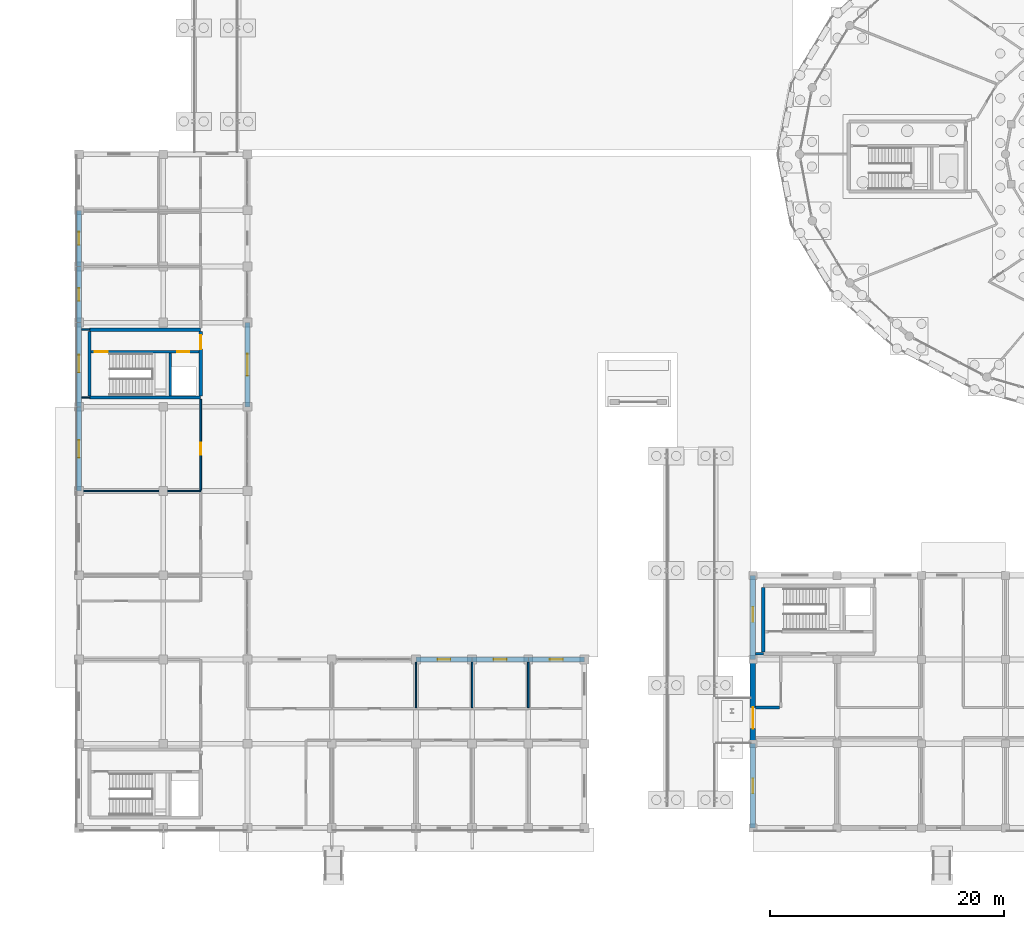
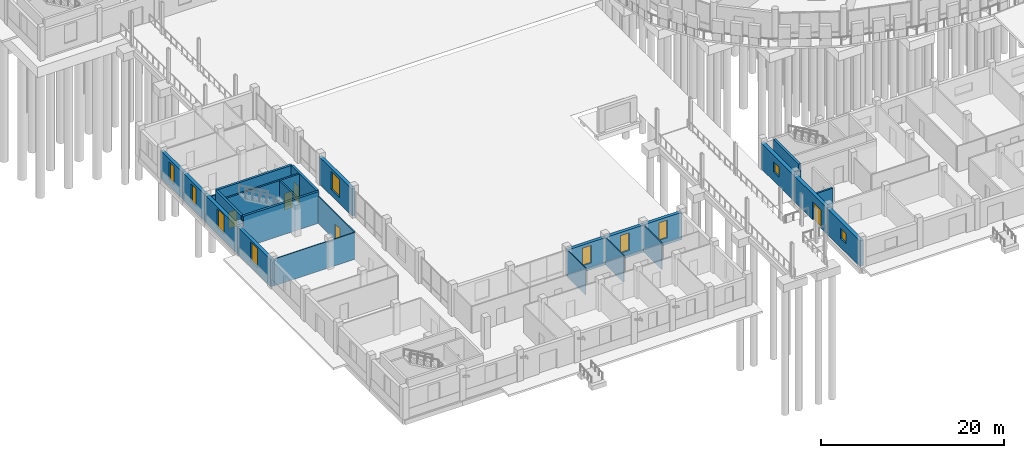
# One storey, part 73 of 98: 27 walls, 10 windows, 5 doors, 15 openings.
"""IFC4 building model written with IfcOpenShell, lengths in metres."""

from ifc_helpers import new_model, si_unit, direction, frame, frame_2d, origin, place, context, subcontext, project, spatial, rectangle, extrude, material, layer, layer_set, type_object, element, fill, save


model = new_model("IFC4")

# Units and contexts
model_context = context("Model", 3, precision=1e-05, world=origin(), true_north=direction((0.0, 1.0)))
body_context = subcontext(model_context, "Body", "Model", "MODEL_VIEW")
ifc_project = project(units=[si_unit("LENGTHUNIT", "METRE"), si_unit("AREAUNIT", "SQUARE_METRE"), si_unit("VOLUMEUNIT", "CUBIC_METRE"), si_unit("PLANEANGLEUNIT", "RADIAN"), si_unit("MASSUNIT", "GRAM", prefix="KILO")], contexts=[model_context])

# Site, building, storey
site_placement = place(None, origin())
site = spatial("IfcSite", under=ifc_project, at=site_placement, CompositionType="ELEMENT")
building_placement = place(site_placement, origin())
building = spatial("IfcBuilding", under=site, at=building_placement, Name="Zornivar Specialist Clinic", CompositionType="ELEMENT")
storey_placement = place(building_placement, origin())
storey = spatial("IfcBuildingStorey", under=building, at=storey_placement, Name="L00", CompositionType="ELEMENT", Elevation=0.0)

# Wall, opening, window
ifc_material_1 = material(Name="Barium-shielded concrete C35/45", Category="concrete")
ifc_layer_1 = layer(ifc_material_1, 0.4599609375)
ifc_layer_set_1 = layer_set([ifc_layer_1], Name="Barium-shielded concrete C35/45")
wall_type_1 = type_object("IfcWallType", Name="EW-IMG-SHIELD-460", PredefinedType="SOLIDWALL", material=ifc_layer_set_1)
wall_1_placement = place(storey_placement, frame((57.60009765625, 21.60009765625, 0.0), z_axis=(0.0, 0.0, 1.0), x_axis=(0.0, -1.0, 0.0)))
wall_1 = element("IfcWall", 1, at=wall_1_placement, inside=storey, type_object=wall_type_1, Name="ew:V3:L00:13", PredefinedType="SOLIDWALL", context=body_context, shape_type="SweptSolid", body=[
    extrude(rectangle(XDim=7.2001953125, YDim=0.4599609375, at=frame_2d((3.60009765625, 0.0))), origin(), (0.0, 0.0, 1.0), 3.429931640625),
])
opening_1_placement = place(wall_1_placement, frame((2.72509765625, 0.0, 1.199951171875)))
opening_1 = element("IfcOpeningElement", 2, at=opening_1_placement, cuts=wall_1, Name="Opening W-14", PredefinedType="OPENING", context=body_context, shape_type="SweptSolid", body=[
    extrude(rectangle(XDim=1.25, YDim=1.35009765625, at=frame_2d((0.625, 0.675048828125))), frame((0.0, 0.239990234375, 0.0), z_axis=(0.0, -1.0, 0.0), x_axis=(1.0, 0.0, 0.0)), (0.0, 0.0, 1.0), 0.47998046875),
])
ifc_material_2 = material(Name="Triple-Glazed Aluminium-Timber Window Glass", Category="wood")
window_type_1 = type_object("IfcWindowType", Name="WIN-IMG-CTRL-1250x1350", PartitioningType="SINGLE_PANEL", PredefinedType="WINDOW", material=ifc_material_2)
window_1_placement = place(opening_1_placement, origin())
window_1 = element("IfcWindow", 3, at=window_1_placement, inside=storey, type_object=window_type_1, Name="win:V3:L00:13", OverallHeight=1.35009765625, OverallWidth=1.25, PartitioningType="SINGLE_PANEL", PredefinedType="WINDOW", context=body_context, shape_type="SweptSolid", body=[
    extrude(rectangle(XDim=1.25, YDim=1.35009765625, at=frame_2d((0.625, 0.675048828125))), frame((0.0, 0.030029296875, 0.0), z_axis=(0.0, -1.0, 0.0), x_axis=(1.0, 0.0, 0.0)), (0.0, 0.0, 1.0), 0.06005859375),
])
fill(opening_1, window_1)

# Wall, opening, door
wall_2_placement = place(storey_placement, frame((57.60009765625, 14.39990234375, 0.0), z_axis=(0.0, 0.0, 1.0), x_axis=(0.0, -1.0, 0.0)))
wall_2 = element("IfcWall", 4, at=wall_2_placement, inside=storey, type_object=wall_type_1, Name="ew:V3:L00:14", PredefinedType="SOLIDWALL", context=body_context, shape_type="SweptSolid", body=[
    extrude(rectangle(XDim=7.199951171875, YDim=0.4599609375, at=frame_2d((3.60009765625, 0.0))), origin(), (0.0, 0.0, 1.0), 3.429931640625),
])
opening_2_placement = place(wall_2_placement, frame((4.10009765625, 0.0, 0.0)))
opening_2 = element("IfcOpeningElement", 5, at=opening_2_placement, cuts=wall_2, Name="Opening ED-03", PredefinedType="OPENING", context=body_context, shape_type="SweptSolid", body=[
    extrude(rectangle(XDim=1.800048828125, YDim=2.39990234375, at=frame_2d((0.89990234375, 1.199951171875))), frame((0.0, 0.239990234375, 0.0), z_axis=(0.0, -1.0, 0.0), x_axis=(1.0, 0.0, 0.0)), (0.0, 0.0, 1.0), 0.47998046875),
])
ifc_material_3 = material(Name="Thermally Broken Glazed Aluminium Door", Category="aluminium")
door_type_1 = type_object("IfcDoorType", Name="ED-ENTRY-1800x2400", OperationType="NOTDEFINED", PredefinedType="DOOR", material=ifc_material_3)
door_1_placement = place(opening_2_placement, origin())
door_1 = element("IfcDoor", 6, at=door_1_placement, inside=storey, type_object=door_type_1, Name="door:V3:L00:br1", OperationType="DOUBLE_DOOR_SINGLE_SWING", OverallHeight=2.39990234375, OverallWidth=1.800048828125, PredefinedType="DOOR", context=body_context, shape_type="SweptSolid", body=[
    extrude(rectangle(XDim=1.800048828125, YDim=2.39990234375, at=frame_2d((0.89990234375, 1.199951171875))), frame((0.0, 0.02490234375, 0.0), z_axis=(0.0, -1.0, 0.0), x_axis=(1.0, 0.0, 0.0)), (0.0, 0.0, 1.0), 0.050048828125),
])
fill(opening_2, door_1)

# Wall, opening, window
wall_3_placement = place(storey_placement, frame((57.60009765625, 7.199951171875, 0.0), z_axis=(0.0, 0.0, 1.0), x_axis=(0.0, -1.0, 0.0)))
wall_3 = element("IfcWall", 7, at=wall_3_placement, inside=storey, type_object=wall_type_1, Name="ew:V3:L00:15", PredefinedType="SOLIDWALL", context=body_context, shape_type="SweptSolid", body=[
    extrude(rectangle(XDim=7.199951171875, YDim=0.4599609375, at=frame_2d((3.60009765625, 0.0))), origin(), (0.0, 0.0, 1.0), 3.429931640625),
])
opening_3_placement = place(wall_3_placement, frame((2.97509765625, 0.0, 1.199951171875)))
opening_3 = element("IfcOpeningElement", 8, at=opening_3_placement, cuts=wall_3, Name="Opening W-14", PredefinedType="OPENING", context=body_context, shape_type="SweptSolid", body=[
    extrude(rectangle(XDim=1.25, YDim=1.35009765625, at=frame_2d((0.625, 0.675048828125))), frame((0.0, 0.239990234375, 0.0), z_axis=(0.0, -1.0, 0.0), x_axis=(1.0, 0.0, 0.0)), (0.0, 0.0, 1.0), 0.47998046875),
])
window_2_placement = place(opening_3_placement, origin())
window_2 = element("IfcWindow", 9, at=window_2_placement, inside=storey, type_object=window_type_1, Name="win:V3:L00:15", OverallHeight=1.35009765625, OverallWidth=1.25, PartitioningType="SINGLE_PANEL", PredefinedType="WINDOW", context=body_context, shape_type="SweptSolid", body=[
    extrude(rectangle(XDim=1.25, YDim=1.35009765625, at=frame_2d((0.625, 0.675048828125))), frame((0.0, 0.030029296875, 0.0), z_axis=(0.0, -1.0, 0.0), x_axis=(1.0, 0.0, 0.0)), (0.0, 0.0, 1.0), 0.06005859375),
])
fill(opening_3, window_2)

ifc_material_4 = material(Name="Masonry Vratsa Limestone Ashlar Cavity Wall", Category="masonry")
ifc_layer_2 = layer(ifc_material_4, 0.419921875)
ifc_layer_set_2 = layer_set([ifc_layer_2], Name="Masonry Vratsa Limestone Ashlar Cavity Wall")
wall_type_2 = type_object("IfcWallType", Name="EW-LIMESTONE-420", PredefinedType="SOLIDWALL", material=ifc_layer_set_2)
wall_4_placement = place(storey_placement, frame((43.199951171875, 14.39990234375, 0.0), z_axis=(0.0, 0.0, 1.0), x_axis=(-1.0, 0.0, 0.0)))
wall_4 = element("IfcWall", 10, at=wall_4_placement, inside=storey, type_object=wall_type_2, Name="ew:V2:L00:09", PredefinedType="SOLIDWALL", context=body_context, shape_type="SweptSolid", body=[
    extrude(rectangle(XDim=4.800048828125, YDim=0.419921875, at=frame_2d((2.39990234375, 0.0))), origin(), (0.0, 0.0, 1.0), 3.60009765625),
])
opening_4_placement = place(wall_4_placement, frame((1.85009765625, 0.0, 0.85009765625)))
opening_4 = element("IfcOpeningElement", 11, at=opening_4_placement, cuts=wall_4, Name="Opening W-04", PredefinedType="OPENING", context=body_context, shape_type="SweptSolid", body=[
    extrude(rectangle(XDim=1.10009765625, YDim=2.35009765625, at=frame_2d((0.550048828125, 1.175048828125))), frame((0.0, 0.219970703125, 0.0), z_axis=(0.0, -1.0, 0.0), x_axis=(1.0, 0.0, 0.0)), (0.0, 0.0, 1.0), 0.43994140625),
])
ifc_material_5 = material(Name="Triple-Glazed Aluminium-Timber Window Glass", Category="wood")
window_type_2 = type_object("IfcWindowType", Name="WIN-PLINTH-PIER-1100x2350", PartitioningType="SINGLE_PANEL", PredefinedType="WINDOW", material=ifc_material_5)
window_3_placement = place(opening_4_placement, origin())
window_3 = element("IfcWindow", 12, at=window_3_placement, inside=storey, type_object=window_type_2, Name="win:V2:L00:09", OverallHeight=2.35009765625, OverallWidth=1.10009765625, PartitioningType="SINGLE_PANEL", PredefinedType="WINDOW", context=body_context, shape_type="SweptSolid", body=[
    extrude(rectangle(XDim=1.10009765625, YDim=2.35009765625, at=frame_2d((0.550048828125, 1.175048828125))), frame((0.0, 0.030029296875, 0.0), z_axis=(0.0, -1.0, 0.0), x_axis=(1.0, 0.0, 0.0)), (0.0, 0.0, 1.0), 0.06005859375),
])
fill(opening_4, window_3)

wall_5_placement = place(storey_placement, frame((38.39990234375, 14.39990234375, 0.0), z_axis=(0.0, 0.0, 1.0), x_axis=(-1.0, 0.0, 0.0)))
wall_5 = element("IfcWall", 13, at=wall_5_placement, inside=storey, type_object=wall_type_2, Name="ew:V2:L00:10", PredefinedType="SOLIDWALL", context=body_context, shape_type="SweptSolid", body=[
    extrude(rectangle(XDim=4.7998046875, YDim=0.419921875, at=frame_2d((2.39990234375, 0.0))), origin(), (0.0, 0.0, 1.0), 3.60009765625),
])
opening_5_placement = place(wall_5_placement, frame((1.85009765625, 0.0, 0.85009765625)))
opening_5 = element("IfcOpeningElement", 14, at=opening_5_placement, cuts=wall_5, Name="Opening W-04", PredefinedType="OPENING", context=body_context, shape_type="SweptSolid", body=[
    extrude(rectangle(XDim=1.10009765625, YDim=2.35009765625, at=frame_2d((0.550048828125, 1.175048828125))), frame((0.0, 0.219970703125, 0.0), z_axis=(0.0, -1.0, 0.0), x_axis=(1.0, 0.0, 0.0)), (0.0, 0.0, 1.0), 0.43994140625),
])
window_4_placement = place(opening_5_placement, origin())
window_4 = element("IfcWindow", 15, at=window_4_placement, inside=storey, type_object=window_type_2, Name="win:V2:L00:10", OverallHeight=2.35009765625, OverallWidth=1.10009765625, PartitioningType="SINGLE_PANEL", PredefinedType="WINDOW", context=body_context, shape_type="SweptSolid", body=[
    extrude(rectangle(XDim=1.10009765625, YDim=2.35009765625, at=frame_2d((0.550048828125, 1.175048828125))), frame((0.0, 0.030029296875, 0.0), z_axis=(0.0, -1.0, 0.0), x_axis=(1.0, 0.0, 0.0)), (0.0, 0.0, 1.0), 0.06005859375),
])
fill(opening_5, window_4)

wall_6_placement = place(storey_placement, frame((33.60009765625, 14.39990234375, 0.0), z_axis=(0.0, 0.0, 1.0), x_axis=(-1.0, 0.0, 0.0)))
wall_6 = element("IfcWall", 16, at=wall_6_placement, inside=storey, type_object=wall_type_2, Name="ew:V2:L00:11", PredefinedType="SOLIDWALL", context=body_context, shape_type="SweptSolid", body=[
    extrude(rectangle(XDim=4.800048828125, YDim=0.419921875, at=frame_2d((2.39990234375, 0.0))), origin(), (0.0, 0.0, 1.0), 3.60009765625),
])
opening_6_placement = place(wall_6_placement, frame((1.85009765625, 0.0, 0.85009765625)))
opening_6 = element("IfcOpeningElement", 17, at=opening_6_placement, cuts=wall_6, Name="Opening W-04", PredefinedType="OPENING", context=body_context, shape_type="SweptSolid", body=[
    extrude(rectangle(XDim=1.10009765625, YDim=2.35009765625, at=frame_2d((0.550048828125, 1.175048828125))), frame((0.0, 0.219970703125, 0.0), z_axis=(0.0, -1.0, 0.0), x_axis=(1.0, 0.0, 0.0)), (0.0, 0.0, 1.0), 0.43994140625),
])
window_5_placement = place(opening_6_placement, origin())
window_5 = element("IfcWindow", 18, at=window_5_placement, inside=storey, type_object=window_type_2, Name="win:V2:L00:11", OverallHeight=2.35009765625, OverallWidth=1.10009765625, PartitioningType="SINGLE_PANEL", PredefinedType="WINDOW", context=body_context, shape_type="SweptSolid", body=[
    extrude(rectangle(XDim=1.10009765625, YDim=2.35009765625, at=frame_2d((0.550048828125, 1.175048828125))), frame((0.0, 0.030029296875, 0.0), z_axis=(0.0, -1.0, 0.0), x_axis=(1.0, 0.0, 0.0)), (0.0, 0.0, 1.0), 0.06005859375),
])
fill(opening_6, window_5)

wall_7_placement = place(storey_placement, frame((14.39990234375, 36.0, 0.0), z_axis=(0.0, 0.0, 1.0), x_axis=(0.0, 1.0, 0.0)))
wall_7 = element("IfcWall", 19, at=wall_7_placement, inside=storey, type_object=wall_type_2, Name="ew:V2:L00:17", PredefinedType="SOLIDWALL", context=body_context, shape_type="SweptSolid", body=[
    extrude(rectangle(XDim=7.199951171875, YDim=0.419921875, at=frame_2d((3.60009765625, 0.0))), origin(), (0.0, 0.0, 1.0), 3.60009765625),
])
opening_7_placement = place(wall_7_placement, frame((2.675048828125, 0.0, 0.85009765625)))
opening_7 = element("IfcOpeningElement", 20, at=opening_7_placement, cuts=wall_7, Name="Opening W-03", PredefinedType="OPENING", context=body_context, shape_type="SweptSolid", body=[
    extrude(rectangle(XDim=1.85009765625, YDim=2.39990234375, at=frame_2d((0.925048828125, 1.199951171875))), frame((0.0, 0.219970703125, 0.0), z_axis=(0.0, -1.0, 0.0), x_axis=(1.0, 0.0, 0.0)), (0.0, 0.0, 1.0), 0.43994140625),
])
ifc_material_6 = material(Name="Triple-Glazed Aluminium-Timber Window Glass", Category="wood")
window_type_3 = type_object("IfcWindowType", Name="WIN-PLINTH-COURT-1850x2400", PartitioningType="SINGLE_PANEL", PredefinedType="WINDOW", material=ifc_material_6)
window_6_placement = place(opening_7_placement, origin())
window_6 = element("IfcWindow", 21, at=window_6_placement, inside=storey, type_object=window_type_3, Name="win:V2:L00:17", OverallHeight=2.39990234375, OverallWidth=1.85009765625, PartitioningType="SINGLE_PANEL", PredefinedType="WINDOW", context=body_context, shape_type="SweptSolid", body=[
    extrude(rectangle(XDim=1.85009765625, YDim=2.39990234375, at=frame_2d((0.925048828125, 1.199951171875))), frame((0.0, 0.030029296875, 0.0), z_axis=(0.0, -1.0, 0.0), x_axis=(1.0, 0.0, 0.0)), (0.0, 0.0, 1.0), 0.06005859375),
])
fill(opening_7, window_6)

wall_8_placement = place(storey_placement, frame((0.0, 52.800048828125, 0.0), z_axis=(0.0, 0.0, 1.0), x_axis=(0.0, -1.0, 0.0)))
wall_8 = element("IfcWall", 22, at=wall_8_placement, inside=storey, type_object=wall_type_2, Name="ew:V2:L00:24", PredefinedType="SOLIDWALL", context=body_context, shape_type="SweptSolid", body=[
    extrude(rectangle(XDim=4.800048828125, YDim=0.419921875, at=frame_2d((2.39990234375, 0.0))), origin(), (0.0, 0.0, 1.0), 3.60009765625),
])
opening_8_placement = place(wall_8_placement, frame((1.85009765625, 0.0, 0.85009765625)))
opening_8 = element("IfcOpeningElement", 23, at=opening_8_placement, cuts=wall_8, Name="Opening W-04", PredefinedType="OPENING", context=body_context, shape_type="SweptSolid", body=[
    extrude(rectangle(XDim=1.10009765625, YDim=2.35009765625, at=frame_2d((0.550048828125, 1.175048828125))), frame((0.0, 0.219970703125, 0.0), z_axis=(0.0, -1.0, 0.0), x_axis=(1.0, 0.0, 0.0)), (0.0, 0.0, 1.0), 0.43994140625),
])
window_7_placement = place(opening_8_placement, origin())
window_7 = element("IfcWindow", 24, at=window_7_placement, inside=storey, type_object=window_type_2, Name="win:V2:L00:24", OverallHeight=2.35009765625, OverallWidth=1.10009765625, PartitioningType="SINGLE_PANEL", PredefinedType="WINDOW", context=body_context, shape_type="SweptSolid", body=[
    extrude(rectangle(XDim=1.10009765625, YDim=2.35009765625, at=frame_2d((0.550048828125, 1.175048828125))), frame((0.0, 0.030029296875, 0.0), z_axis=(0.0, -1.0, 0.0), x_axis=(1.0, 0.0, 0.0)), (0.0, 0.0, 1.0), 0.06005859375),
])
fill(opening_8, window_7)

wall_9_placement = place(storey_placement, frame((0.0, 48.0, 0.0), z_axis=(0.0, 0.0, 1.0), x_axis=(0.0, -1.0, 0.0)))
wall_9 = element("IfcWall", 25, at=wall_9_placement, inside=storey, type_object=wall_type_2, Name="ew:V2:L00:25", PredefinedType="SOLIDWALL", context=body_context, shape_type="SweptSolid", body=[
    extrude(rectangle(XDim=4.800048828125, YDim=0.419921875, at=frame_2d((2.39990234375, 0.0))), origin(), (0.0, 0.0, 1.0), 3.60009765625),
])
opening_9_placement = place(wall_9_placement, frame((1.85009765625, 0.0, 0.85009765625)))
opening_9 = element("IfcOpeningElement", 26, at=opening_9_placement, cuts=wall_9, Name="Opening W-04", PredefinedType="OPENING", context=body_context, shape_type="SweptSolid", body=[
    extrude(rectangle(XDim=1.10009765625, YDim=2.35009765625, at=frame_2d((0.550048828125, 1.175048828125))), frame((0.0, 0.219970703125, 0.0), z_axis=(0.0, -1.0, 0.0), x_axis=(1.0, 0.0, 0.0)), (0.0, 0.0, 1.0), 0.43994140625),
])
window_8_placement = place(opening_9_placement, origin())
window_8 = element("IfcWindow", 27, at=window_8_placement, inside=storey, type_object=window_type_2, Name="win:V2:L00:25", OverallHeight=2.35009765625, OverallWidth=1.10009765625, PartitioningType="SINGLE_PANEL", PredefinedType="WINDOW", context=body_context, shape_type="SweptSolid", body=[
    extrude(rectangle(XDim=1.10009765625, YDim=2.35009765625, at=frame_2d((0.550048828125, 1.175048828125))), frame((0.0, 0.030029296875, 0.0), z_axis=(0.0, -1.0, 0.0), x_axis=(1.0, 0.0, 0.0)), (0.0, 0.0, 1.0), 0.06005859375),
])
fill(opening_9, window_8)

wall_10_placement = place(storey_placement, frame((0.0, 43.199951171875, 0.0), z_axis=(0.0, 0.0, 1.0), x_axis=(0.0, -1.0, 0.0)))
wall_10 = element("IfcWall", 28, at=wall_10_placement, inside=storey, type_object=wall_type_2, Name="ew:V2:L00:26", PredefinedType="SOLIDWALL", context=body_context, shape_type="SweptSolid", body=[
    extrude(rectangle(XDim=7.199951171875, YDim=0.419921875, at=frame_2d((3.60009765625, 0.0))), origin(), (0.0, 0.0, 1.0), 3.60009765625),
])
opening_10_placement = place(wall_10_placement, frame((2.75, 0.0, 0.85009765625)))
opening_10 = element("IfcOpeningElement", 29, at=opening_10_placement, cuts=wall_10, Name="Opening W-02", PredefinedType="OPENING", context=body_context, shape_type="SweptSolid", body=[
    extrude(rectangle(XDim=1.5, YDim=2.5, at=frame_2d((0.75, 1.25))), frame((0.0, 0.219970703125, 0.0), z_axis=(0.0, -1.0, 0.0), x_axis=(1.0, 0.0, 0.0)), (0.0, 0.0, 1.0), 0.43994140625),
])
ifc_material_7 = material(Name="Triple-Glazed Aluminium-Timber Window Glass", Category="wood")
window_type_4 = type_object("IfcWindowType", Name="WIN-PLINTH-STREET-1500x2500", PartitioningType="SINGLE_PANEL", PredefinedType="WINDOW", material=ifc_material_7)
window_9_placement = place(opening_10_placement, origin())
window_9 = element("IfcWindow", 30, at=window_9_placement, inside=storey, type_object=window_type_4, Name="win:V2:L00:26", OverallHeight=2.5, OverallWidth=1.5, PartitioningType="SINGLE_PANEL", PredefinedType="WINDOW", context=body_context, shape_type="SweptSolid", body=[
    extrude(rectangle(XDim=1.5, YDim=2.5, at=frame_2d((0.75, 1.25))), frame((0.0, 0.030029296875, 0.0), z_axis=(0.0, -1.0, 0.0), x_axis=(1.0, 0.0, 0.0)), (0.0, 0.0, 1.0), 0.06005859375),
])
fill(opening_10, window_9)

wall_11_placement = place(storey_placement, frame((0.0, 36.0, 0.0), z_axis=(0.0, 0.0, 1.0), x_axis=(0.0, -1.0, 0.0)))
wall_11 = element("IfcWall", 31, at=wall_11_placement, inside=storey, type_object=wall_type_2, Name="ew:V2:L00:27", PredefinedType="SOLIDWALL", context=body_context, shape_type="SweptSolid", body=[
    extrude(rectangle(XDim=7.199951171875, YDim=0.419921875, at=frame_2d((3.60009765625, 0.0))), origin(), (0.0, 0.0, 1.0), 3.60009765625),
])
opening_11_placement = place(wall_11_placement, frame((2.85009765625, 0.0, 0.85009765625)))
opening_11 = element("IfcOpeningElement", 32, at=opening_11_placement, cuts=wall_11, Name="Opening W-02", PredefinedType="OPENING", context=body_context, shape_type="SweptSolid", body=[
    extrude(rectangle(XDim=1.5, YDim=2.5, at=frame_2d((0.75, 1.25))), frame((0.0, 0.219970703125, 0.0), z_axis=(0.0, -1.0, 0.0), x_axis=(1.0, 0.0, 0.0)), (0.0, 0.0, 1.0), 0.43994140625),
])
window_10_placement = place(opening_11_placement, origin())
window_10 = element("IfcWindow", 33, at=window_10_placement, inside=storey, type_object=window_type_4, Name="win:V2:L00:27", OverallHeight=2.5, OverallWidth=1.5, PartitioningType="SINGLE_PANEL", PredefinedType="WINDOW", context=body_context, shape_type="SweptSolid", body=[
    extrude(rectangle(XDim=1.5, YDim=2.5, at=frame_2d((0.75, 1.25))), frame((0.0, 0.030029296875, 0.0), z_axis=(0.0, -1.0, 0.0), x_axis=(1.0, 0.0, 0.0)), (0.0, 0.0, 1.0), 0.06005859375),
])
fill(opening_11, window_10)

# Walls
ifc_material_8 = material(Name="Acoustic Clinical Stud Partition")
ifc_layer_3 = layer(ifc_material_8, 0.139892578125)
ifc_layer_set_3 = layer_set([ifc_layer_3], Name="Acoustic Clinical Stud Partition")
wall_type_3 = type_object("IfcWallType", Name="IW-CLIN-140", PredefinedType="PARTITIONING", material=ifc_layer_set_3)
wall_12_placement = place(storey_placement, frame((0.89990234375, 42.60009765625, 0.0), z_axis=(0.0, 0.0, 1.0), x_axis=(-1.0, 0.0, 0.0)))
element("IfcWall", 34, at=wall_12_placement, inside=storey, type_object=wall_type_3, Name="iw:L00:082", PredefinedType="PARTITIONING", context=body_context, shape_type="SweptSolid", body=[
    extrude(rectangle(XDim=0.6748046875, YDim=0.139892578125, at=frame_2d((0.33740234375, 0.0))), origin(), (0.0, 0.0, 1.0), 3.580078125),
])
wall_13_placement = place(storey_placement, frame((33.60009765625, 14.175048828125, 0.0), z_axis=(0.0, 0.0, 1.0), x_axis=(0.0, -1.0, 0.0)))
element("IfcWall", 35, at=wall_13_placement, inside=storey, type_object=wall_type_3, Name="iw:L00:105", PredefinedType="PARTITIONING", context=body_context, shape_type="SweptSolid", body=[
    extrude(rectangle(XDim=3.881103515625, YDim=0.139892578125, at=frame_2d((1.9404296875, 0.0))), origin(), (0.0, 0.0, 1.0), 3.580078125),
])

# Wall, opening, door
ifc_material_9 = material(Name="Gypsum Fire-Rated Double Stud Partition")
ifc_layer_4 = layer(ifc_material_9, 0.159912109375)
ifc_layer_set_4 = layer_set([ifc_layer_4], Name="Gypsum Fire-Rated Double Stud Partition")
wall_type_4 = type_object("IfcWallType", Name="IW-CORR-EI60-160", PredefinedType="PARTITIONING", material=ifc_layer_set_4)
wall_14_placement = place(storey_placement, frame((10.39990234375, 36.64501953125, 0.0), z_axis=(0.0, 0.0, 1.0), x_axis=(0.0, -1.0, 0.0)))
wall_14 = element("IfcWall", 36, at=wall_14_placement, inside=storey, type_object=wall_type_4, Name="iw:L00:080", PredefinedType="PARTITIONING", context=body_context, shape_type="SweptSolid", body=[
    extrude(rectangle(XDim=7.776123046875, YDim=0.159912109375, at=frame_2d((3.88818359375, 0.0))), origin(), (0.0, 0.0, 1.0), 3.580078125),
])
opening_12_placement = place(wall_14_placement, frame((3.708984375, 0.0, 0.0)))
opening_12 = element("IfcOpeningElement", 37, at=opening_12_placement, cuts=wall_14, Name="Opening ID-03", PredefinedType="OPENING", context=body_context, shape_type="SweptSolid", body=[
    extrude(rectangle(XDim=1.050048828125, YDim=2.14990234375, at=frame_2d((0.52490234375, 1.074951171875))), frame((0.0, 0.08984375, 0.0), z_axis=(0.0, -1.0, 0.0), x_axis=(1.0, 0.0, 0.0)), (0.0, 0.0, 1.0), 0.179931640625),
])
ifc_material_10 = material(Name="Solid-Core Hygienic Laminate Timber Door", Category="wood")
door_type_2 = type_object("IfcDoorType", Name="ID-CONS-1050x2150", OperationType="NOTDEFINED", PredefinedType="DOOR", material=ifc_material_10)
door_2_placement = place(opening_12_placement, origin())
door_2 = element("IfcDoor", 38, at=door_2_placement, inside=storey, type_object=door_type_2, Name="door:space:V2:L00:rm:03", OperationType="SINGLE_SWING_RIGHT", OverallHeight=2.14990234375, OverallWidth=1.050048828125, PredefinedType="DOOR", context=body_context, shape_type="SweptSolid", body=[
    extrude(rectangle(XDim=1.050048828125, YDim=2.14990234375, at=frame_2d((0.52490234375, 1.074951171875))), frame((0.0, 0.02490234375, 0.0), z_axis=(0.0, -1.0, 0.0), x_axis=(1.0, 0.0, 0.0)), (0.0, 0.0, 1.0), 0.050048828125),
])
fill(opening_12, door_2)

# Walls
ifc_material_11 = material(Name="Acoustic Glazed Consultation Partition")
ifc_layer_5 = layer(ifc_material_11, 0.1201171875)
ifc_layer_set_5 = layer_set([ifc_layer_5], Name="Acoustic Glazed Consultation Partition")
wall_type_5 = type_object("IfcWallType", Name="IW-GLAZ-120", PredefinedType="PARTITIONING", material=ifc_layer_set_5)
wall_15_placement = place(storey_placement, frame((0.22509765625, 36.800048828125, 0.0), z_axis=(0.0, 0.0, 1.0), x_axis=(1.0, 0.0, 0.0)))
element("IfcWall", 39, at=wall_15_placement, inside=storey, type_object=wall_type_5, Name="iw:L00:079", PredefinedType="PARTITIONING", context=body_context, shape_type="SweptSolid", body=[
    extrude(rectangle(XDim=0.6748046875, YDim=0.1201171875, at=frame_2d((0.33740234375, 0.0))), origin(), (0.0, 0.0, 1.0), 3.580078125),
])
ifc_material_12 = material(Name="Barium-shielded concrete C35/45", Category="concrete")
ifc_layer_6 = layer(ifc_material_12, 0.219970703125)
ifc_layer_set_6 = layer_set([ifc_layer_6], Name="Barium-shielded concrete C35/45")
wall_type_6 = type_object("IfcWallType", Name="IW-IMG-SHIELD-220", PredefinedType="SOLIDWALL", material=ifc_layer_set_6)
wall_16_placement = place(storey_placement, frame((57.844970703125, 14.89990234375, 0.0), z_axis=(0.0, 0.0, 1.0), x_axis=(1.0, 0.0, 0.0)))
element("IfcWall", 40, at=wall_16_placement, inside=storey, type_object=wall_type_6, Name="iw:L00:114", PredefinedType="SOLIDWALL", context=body_context, shape_type="SweptSolid", body=[
    extrude(rectangle(XDim=0.655029296875, YDim=0.219970703125, at=frame_2d((0.32763671875, 0.0))), origin(), (0.0, 0.0, 1.0), 3.409912109375),
])
wall_17_placement = place(storey_placement, frame((59.8759765625, 10.300048828125, 0.0), z_axis=(0.0, 0.0, 1.0), x_axis=(-1.0, 0.0, 0.0)))
element("IfcWall", 41, at=wall_17_placement, inside=storey, type_object=wall_type_6, Name="iw:L00:116", PredefinedType="SOLIDWALL", context=body_context, shape_type="SweptSolid", body=[
    extrude(rectangle(XDim=2.031005859375, YDim=0.219970703125, at=frame_2d((1.015625, 0.0))), origin(), (0.0, 0.0, 1.0), 3.409912109375),
])
ifc_material_13 = material(Name="Acoustic Sub-Waiting Alcove Partition")
ifc_layer_7 = layer(ifc_material_13, 0.110107421875)
ifc_layer_set_7 = layer_set([ifc_layer_7], Name="Acoustic Sub-Waiting Alcove Partition")
wall_type_7 = type_object("IfcWallType", Name="IW-SUBWAIT-110", PredefinedType="PARTITIONING", material=ifc_layer_set_7)
wall_18_placement = place(storey_placement, frame((0.22509765625, 28.800048828125, 0.0), z_axis=(0.0, 0.0, 1.0), x_axis=(1.0, 0.0, 0.0)))
element("IfcWall", 42, at=wall_18_placement, inside=storey, type_object=wall_type_7, Name="iw:L00:077", PredefinedType="PARTITIONING", context=body_context, shape_type="SweptSolid", body=[
    extrude(rectangle(XDim=10.1748046875, YDim=0.110107421875, at=frame_2d((5.08740234375, 0.0))), origin(), (0.0, 0.0, 1.0), 3.580078125),
])
wall_19_placement = place(storey_placement, frame((28.800048828125, 14.175048828125, 0.0), z_axis=(0.0, 0.0, 1.0), x_axis=(0.0, -1.0, 0.0)))
element("IfcWall", 43, at=wall_19_placement, inside=storey, type_object=wall_type_7, Name="iw:L00:101", PredefinedType="PARTITIONING", context=body_context, shape_type="SweptSolid", body=[
    extrude(rectangle(XDim=3.881103515625, YDim=0.110107421875, at=frame_2d((1.9404296875, 0.0))), origin(), (0.0, 0.0, 1.0), 3.580078125),
])
ifc_material_14 = material(Name="Moisture-Resistant Sanitary Partition")
ifc_layer_8 = layer(ifc_material_14, 0.1298828125)
ifc_layer_set_8 = layer_set([ifc_layer_8], Name="Moisture-Resistant Sanitary Partition")
wall_type_8 = type_object("IfcWallType", Name="IW-WET-130", PredefinedType="PARTITIONING", material=ifc_layer_set_8)
wall_20_placement = place(storey_placement, frame((38.39990234375, 14.175048828125, 0.0), z_axis=(0.0, 0.0, 1.0), x_axis=(0.0, -1.0, 0.0)))
element("IfcWall", 44, at=wall_20_placement, inside=storey, type_object=wall_type_8, Name="iw:L00:109", PredefinedType="PARTITIONING", context=body_context, shape_type="SweptSolid", body=[
    extrude(rectangle(XDim=3.881103515625, YDim=0.1298828125, at=frame_2d((1.9404296875, 0.0))), origin(), (0.0, 0.0, 1.0), 3.580078125),
])
ifc_material_15 = material(Name="Concrete C35/45", Category="concrete")
ifc_layer_9 = layer(ifc_material_15, 0.280029296875)
ifc_layer_set_9 = layer_set([ifc_layer_9], Name="Concrete C35/45")
wall_type_9 = type_object("IfcWallType", Name="SW-CORE-280", PredefinedType="SHEAR", material=ifc_layer_set_9)
wall_21_placement = place(storey_placement, frame((0.89990234375, 36.800048828125, 0.0), z_axis=(0.0, 0.0, 1.0), x_axis=(1.0, 0.0, 0.0)))
element("IfcWall", 45, at=wall_21_placement, inside=storey, type_object=wall_type_9, Name="sw:C2:L00:w0", PredefinedType="SHEAR", context=body_context, shape_type="SweptSolid", body=[
    extrude(rectangle(XDim=9.5, YDim=0.280029296875, at=frame_2d((4.75, 0.0))), origin(), (0.0, 0.0, 1.0), 4.219970703125),
])

# Wall, opening, door
wall_22_placement = place(storey_placement, frame((10.39990234375, 36.93994140625, 0.0), z_axis=(0.0, 0.0, 1.0), x_axis=(0.0, 1.0, 0.0)))
wall_22 = element("IfcWall", 46, at=wall_22_placement, inside=storey, type_object=wall_type_9, Name="sw:C2:L00:w1", PredefinedType="SHEAR", context=body_context, shape_type="SweptSolid", body=[
    extrude(rectangle(XDim=5.52001953125, YDim=0.280029296875, at=frame_2d((2.760009765625, 0.0))), origin(), (0.0, 0.0, 1.0), 4.219970703125),
])
opening_13_placement = place(wall_22_placement, frame((4.0, 0.0, 0.0)))
opening_13 = element("IfcOpeningElement", 47, at=opening_13_placement, cuts=wall_22, Name="Opening FD-01", PredefinedType="OPENING", context=body_context, shape_type="SweptSolid", body=[
    extrude(rectangle(XDim=1.199951171875, YDim=2.25, at=frame_2d((0.60009765625, 1.125))), frame((0.0, 0.14990234375, 0.0), z_axis=(0.0, -1.0, 0.0), x_axis=(1.0, 0.0, 0.0)), (0.0, 0.0, 1.0), 0.300048828125),
])
ifc_material_16 = material(Name="Solid-Core Hygienic Laminate Timber Door", Category="wood")
door_type_3 = type_object("IfcDoorType", Name="FD-LOBBY-MAIN-1200x2250", OperationType="NOTDEFINED", PredefinedType="DOOR", material=ifc_material_16)
door_3_placement = place(opening_13_placement, origin())
door_3 = element("IfcDoor", 48, at=door_3_placement, inside=storey, type_object=door_type_3, Name="door:C2:L00:lob", OperationType="SINGLE_SWING_RIGHT", OverallHeight=2.25, OverallWidth=1.199951171875, PredefinedType="DOOR", context=body_context, shape_type="SweptSolid", body=[
    extrude(rectangle(XDim=1.199951171875, YDim=2.25, at=frame_2d((0.60009765625, 1.125))), frame((0.0, 0.02490234375, 0.0), z_axis=(0.0, -1.0, 0.0), x_axis=(1.0, 0.0, 0.0)), (0.0, 0.0, 1.0), 0.050048828125),
])
fill(opening_13, door_3)

# Walls
wall_23_placement = place(storey_placement, frame((10.39990234375, 42.60009765625, 0.0), z_axis=(0.0, 0.0, 1.0), x_axis=(-1.0, 0.0, 0.0)))
element("IfcWall", 49, at=wall_23_placement, inside=storey, type_object=wall_type_9, Name="sw:C2:L00:w2", PredefinedType="SHEAR", context=body_context, shape_type="SweptSolid", body=[
    extrude(rectangle(XDim=9.5, YDim=0.280029296875, at=frame_2d((4.75, 0.0))), origin(), (0.0, 0.0, 1.0), 4.219970703125),
])
wall_24_placement = place(storey_placement, frame((0.89990234375, 42.4599609375, 0.0), z_axis=(0.0, 0.0, 1.0), x_axis=(0.0, -1.0, 0.0)))
element("IfcWall", 50, at=wall_24_placement, inside=storey, type_object=wall_type_9, Name="sw:C2:L00:w3", PredefinedType="SHEAR", context=body_context, shape_type="SweptSolid", body=[
    extrude(rectangle(XDim=5.52001953125, YDim=0.280029296875, at=frame_2d((2.760009765625, 0.0))), origin(), (0.0, 0.0, 1.0), 4.219970703125),
])
wall_25_placement = place(storey_placement, frame((58.5, 20.56005859375, 0.0), z_axis=(0.0, 0.0, 1.0), x_axis=(0.0, -1.0, 0.0)))
element("IfcWall", 51, at=wall_25_placement, inside=storey, type_object=wall_type_9, Name="sw:C5:L00:w3", PredefinedType="SHEAR", context=body_context, shape_type="SweptSolid", body=[
    extrude(rectangle(XDim=5.52001953125, YDim=0.280029296875, at=frame_2d((2.760009765625, 0.0))), origin(), (0.0, 0.0, 1.0), 4.14990234375),
])
ifc_material_17 = material(Name="Concrete C30/37", Category="concrete")
ifc_layer_10 = layer(ifc_material_17, 0.199951171875)
ifc_layer_set_10 = layer_set([ifc_layer_10], Name="Concrete C30/37")
wall_type_10 = type_object("IfcWallType", Name="SW-LIFT-200", PredefinedType="SHEAR", material=ifc_layer_set_10)
wall_26_placement = place(storey_placement, frame((7.800048828125, 36.93994140625, 0.0), z_axis=(0.0, 0.0, 1.0), x_axis=(0.0, 1.0, 0.0)))
element("IfcWall", 52, at=wall_26_placement, inside=storey, type_object=wall_type_10, Name="sw:C2:L00:sdiv", PredefinedType="SHEAR", context=body_context, shape_type="SweptSolid", body=[
    extrude(rectangle(XDim=3.66015625, YDim=0.199951171875, at=frame_2d((1.830078125, 0.0))), origin(), (0.0, 0.0, 1.0), 4.219970703125),
])

# Wall, openings, doors
ifc_material_18 = material(Name="Concrete C30/37", Category="concrete")
ifc_layer_11 = layer(ifc_material_18, 0.219970703125)
ifc_layer_set_11 = layer_set([ifc_layer_11], Name="Concrete C30/37")
wall_type_11 = type_object("IfcWallType", Name="SW-SHAFT-220", PredefinedType="SHEAR", material=ifc_layer_set_11)
wall_27_placement = place(storey_placement, frame((1.0400390625, 40.7099609375, 0.0), z_axis=(0.0, 0.0, 1.0), x_axis=(1.0, 0.0, 0.0)))
wall_27 = element("IfcWall", 53, at=wall_27_placement, inside=storey, type_object=wall_type_11, Name="sw:C2:L00:stwall", PredefinedType="SHEAR", context=body_context, shape_type="SweptSolid", body=[
    extrude(rectangle(XDim=9.219970703125, YDim=0.219970703125, at=frame_2d((4.60986328125, 0.0))), origin(), (0.0, 0.0, 1.0), 4.219970703125),
])
opening_14_placement = place(wall_27_placement, frame((0.31005859375, 0.0, 0.0)))
opening_14 = element("IfcOpeningElement", 54, at=opening_14_placement, cuts=wall_27, Name="Opening FD-02", PredefinedType="OPENING", context=body_context, shape_type="SweptSolid", body=[
    extrude(rectangle(XDim=1.10009765625, YDim=2.14990234375, at=frame_2d((0.550048828125, 1.074951171875))), frame((0.0, 0.119873046875, 0.0), z_axis=(0.0, -1.0, 0.0), x_axis=(1.0, 0.0, 0.0)), (0.0, 0.0, 1.0), 0.239990234375),
])
opening_15_placement = place(wall_27_placement, frame((7.360107421875, 0.0, 0.0)))
opening_15 = element("IfcOpeningElement", 55, at=opening_15_placement, cuts=wall_27, Name="Opening LD-02", PredefinedType="OPENING", context=body_context, shape_type="SweptSolid", body=[
    extrude(rectangle(XDim=1.0, YDim=2.199951171875, at=frame_2d((0.5, 1.10009765625))), frame((0.0, 0.119873046875, 0.0), z_axis=(0.0, -1.0, 0.0), x_axis=(1.0, 0.0, 0.0)), (0.0, 0.0, 1.0), 0.239990234375),
])
ifc_material_19 = material(Name="Solid-Core Hygienic Laminate Timber Door", Category="wood")
door_type_4 = type_object("IfcDoorType", Name="FD-STAIR-1100x2150", OperationType="NOTDEFINED", PredefinedType="DOOR", material=ifc_material_19)
door_4_placement = place(opening_14_placement, origin())
door_4 = element("IfcDoor", 56, at=door_4_placement, inside=storey, type_object=door_type_4, Name="door:C2:L00:stair", OperationType="SINGLE_SWING_LEFT", OverallHeight=2.14990234375, OverallWidth=1.10009765625, PredefinedType="DOOR", context=body_context, shape_type="SweptSolid", body=[
    extrude(rectangle(XDim=1.10009765625, YDim=2.14990234375, at=frame_2d((0.550048828125, 1.074951171875))), frame((0.0, 0.02490234375, 0.0), z_axis=(0.0, -1.0, 0.0), x_axis=(1.0, 0.0, 0.0)), (0.0, 0.0, 1.0), 0.050048828125),
])
fill(opening_14, door_4)
ifc_material_20 = material(Name="Stainless Steel Lift Landing Sliding Door", Category="steel")
door_type_5 = type_object("IfcDoorType", Name="LD-LIFT-1000x2200", OperationType="NOTDEFINED", PredefinedType="DOOR", material=ifc_material_20)
door_5_placement = place(opening_15_placement, origin())
door_5 = element("IfcDoor", 57, at=door_5_placement, inside=storey, type_object=door_type_5, Name="door:C2:L00:lift", OperationType="DOUBLE_DOOR_SLIDING", OverallHeight=2.199951171875, OverallWidth=1.0, PredefinedType="DOOR", context=body_context, shape_type="SweptSolid", body=[
    extrude(rectangle(XDim=1.0, YDim=2.199951171875, at=frame_2d((0.5, 1.10009765625))), frame((0.0, 0.02490234375, 0.0), z_axis=(0.0, -1.0, 0.0), x_axis=(1.0, 0.0, 0.0)), (0.0, 0.0, 1.0), 0.050048828125),
])
fill(opening_15, door_5)

save(model, "model.ifc")
